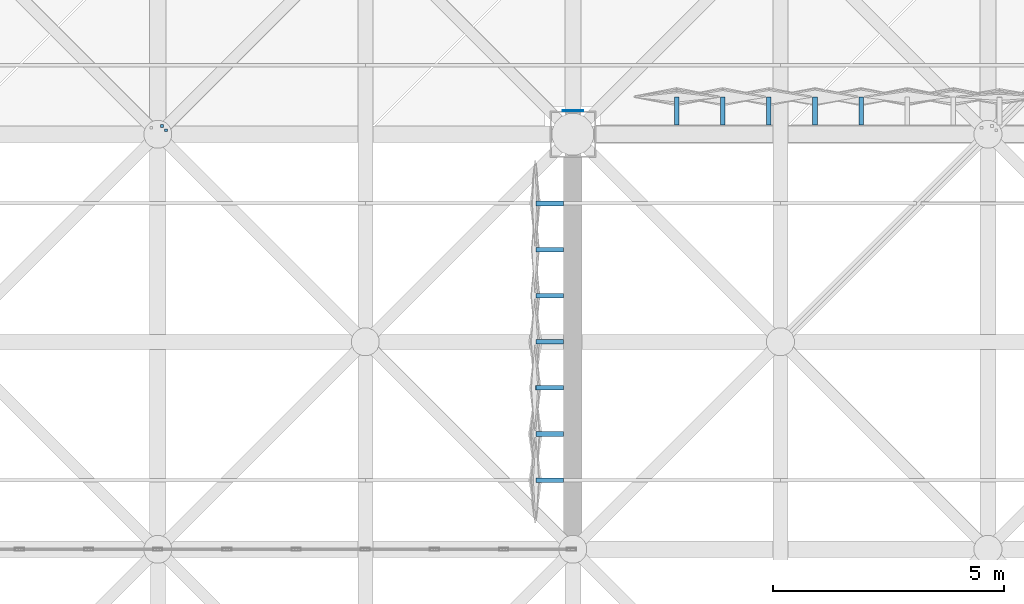
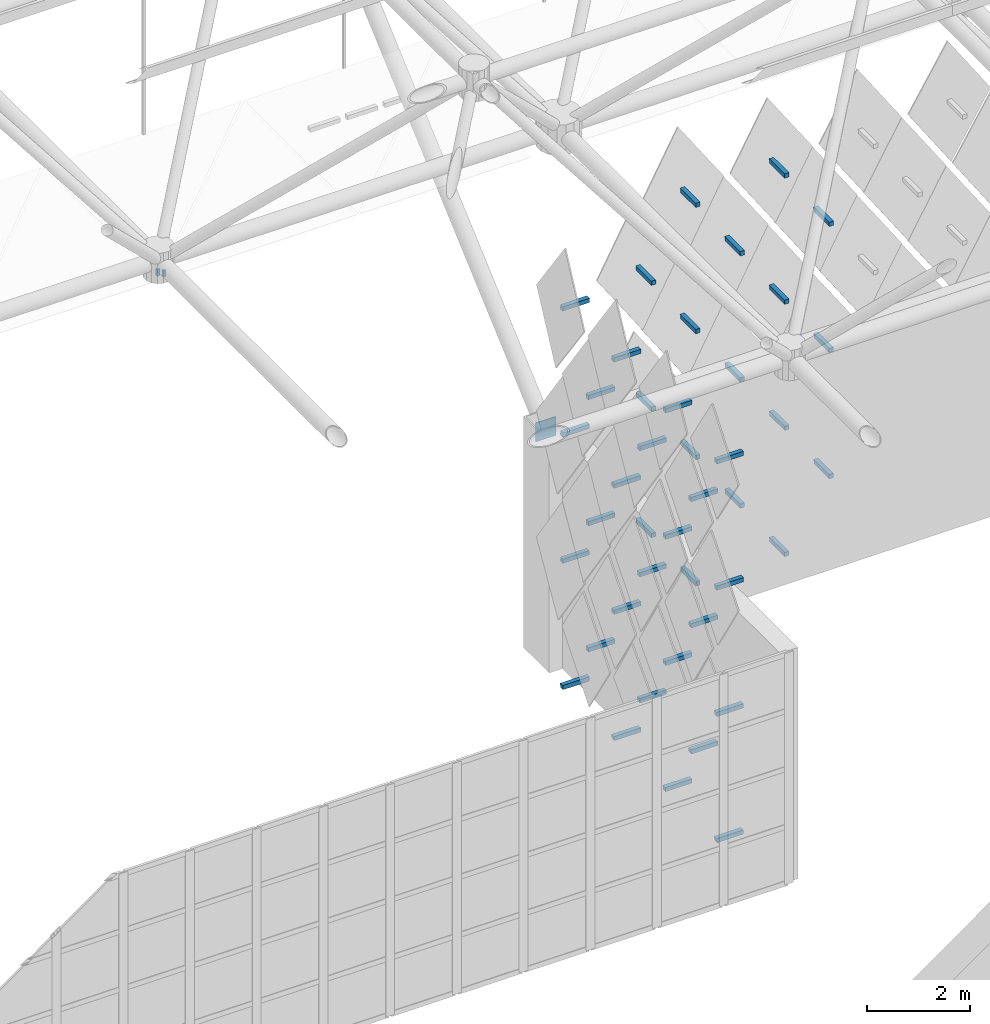
# One storey, part 392 of 437: 45 discrete accessories.
"""IFC4 building model written with IfcOpenShell, lengths in metres."""

from ifc_helpers import new_model, si_unit, direction, frame, origin, place, context, subcontext, project, spatial, polyline, outline, extrude, material, layer, layer_set, type_object, element, save


model = new_model("IFC4")

# Units and contexts
model_context = context("Model", 3, precision=1e-05, world=origin(), true_north=direction((0.0, 1.0)))
body_context = subcontext(model_context, "Body", "Model", "MODEL_VIEW")
ifc_project = project(units=[si_unit("LENGTHUNIT", "METRE"), si_unit("AREAUNIT", "SQUARE_METRE"), si_unit("VOLUMEUNIT", "CUBIC_METRE"), si_unit("PLANEANGLEUNIT", "RADIAN"), si_unit("MASSUNIT", "GRAM", prefix="KILO")], contexts=[model_context])

# Site, building, storey
site_placement = place(None, origin())
site = spatial("IfcSite", under=ifc_project, at=site_placement, CompositionType="ELEMENT")
building_placement = place(site_placement, origin())
building = spatial("IfcBuilding", under=site, at=building_placement, Name="Opaline Strait Convention Centre", CompositionType="ELEMENT")
storey_placement = place(building_placement, frame((0.0, 0.0, 11.5)))
storey = spatial("IfcBuildingStorey", under=building, at=storey_placement, Name="L02", CompositionType="ELEMENT", Elevation=11.5)

# Discrete accessories
ifc_material_1 = material(Name="Structural steel Q355B", Category="steel")
ifc_layer = layer(ifc_material_1, 0.01611328125)
ifc_layer_set = layer_set([ifc_layer], Name="Structural steel Q355B")
discrete_accessory_type_1 = type_object("IfcDiscreteAccessoryType", Name="Prop bearing plate 450 x 450 x 16", PredefinedType="ANCHORPLATE", material=ifc_layer_set)
discrete_accessory_1_placement = place(storey_placement, frame((0.0, 0.0, 4.7890625)))
element("IfcDiscreteAccessory", 1, at=discrete_accessory_1_placement, inside=storey, type_object=discrete_accessory_type_1, Name="Prop bearing plate 207/153 N", PredefinedType="ANCHORPLATE", context=body_context, shape_type="SweptSolid", body=[
    extrude(outline(polyline([(206.77490234375, 153.5), (207.22509765625, 153.5), (207.22509765625, 153.51611328125), (206.77490234375, 153.51611328125), (206.77490234375, 153.5)])), origin(), (0.0, 0.0, 1.0), 0.449951171875),
])
ifc_material_2 = material(Name="Steel Q355B", Category="steel")
discrete_accessory_type_2 = type_object("IfcDiscreteAccessoryType", Name="Soffit hanger 60x60 steel", PredefinedType="BRACKET", material=ifc_material_2)
discrete_accessory_2_placement = place(storey_placement, frame((0.0, 0.0, 11.989990234375)))
element("IfcDiscreteAccessory", 2, at=discrete_accessory_2_placement, inside=storey, type_object=discrete_accessory_type_2, Name="Soffit hanger", PredefinedType="BRACKET", context=body_context, shape_type="SweptSolid", body=[
    extrude(outline(polyline([(198.14892578125, 153.059326171875), (198.208984375, 153.059326171875), (198.208984375, 153.119140625), (198.14892578125, 153.119140625), (198.14892578125, 153.059326171875)])), origin(), (0.0, 0.0, 1.0), 0.14990234375),
])
discrete_accessory_3_placement = place(storey_placement, frame((0.0, 0.0, 11.989990234375)))
element("IfcDiscreteAccessory", 3, at=discrete_accessory_3_placement, inside=storey, type_object=discrete_accessory_type_2, Name="Soffit hanger", PredefinedType="BRACKET", context=body_context, shape_type="SweptSolid", body=[
    extrude(outline(polyline([(198.059326171875, 153.14892578125), (198.119140625, 153.14892578125), (198.119140625, 153.208984375), (198.059326171875, 153.208984375), (198.059326171875, 153.14892578125)])), origin(), (0.0, 0.0, 1.0), 0.14990234375),
])
discrete_accessory_type_3 = type_object("IfcDiscreteAccessoryType", Name="Tile bracket 100x100 steel", PredefinedType="BRACKET", material=ifc_material_2)
discrete_accessory_4_placement = place(storey_placement, frame((212.300048828125, 153.199951171875, 0.39208984375), z_axis=(-1.0, 0.0, 0.0), x_axis=(0.0, -1.0, 0.0)))
element("IfcDiscreteAccessory", 4, at=discrete_accessory_4_placement, inside=storey, type_object=discrete_accessory_type_3, Name="Tile bracket XT12 N", PredefinedType="BRACKET", context=body_context, shape_type="SweptSolid", body=[
    extrude(outline(polyline([(0.0, -0.050048828125), (0.0, 0.050048828125), (-0.605224609375, 0.050048828125), (-0.5947265625, -0.050048828125), (0.0, -0.050048828125)])), origin(), (0.0, 0.0, 1.0), 0.10009765625),
])
discrete_accessory_5_placement = place(storey_placement, frame((210.300048828125, 153.199951171875, 0.39208984375), z_axis=(-1.0, 0.0, 0.0), x_axis=(0.0, -1.0, 0.0)))
element("IfcDiscreteAccessory", 5, at=discrete_accessory_5_placement, inside=storey, type_object=discrete_accessory_type_3, Name="Tile bracket XT08 N", PredefinedType="BRACKET", context=body_context, shape_type="SweptSolid", body=[
    extrude(outline(polyline([(0.0, -0.050048828125), (0.0, 0.050048828125), (-0.603515625, 0.050048828125), (-0.596435546875, -0.050048828125), (0.0, -0.050048828125)])), origin(), (0.0, 0.0, 1.0), 0.10009765625),
])
discrete_accessory_6_placement = place(storey_placement, frame((213.300048828125, 153.199951171875, 1.89208984375), z_axis=(-1.0, 0.0, 0.0), x_axis=(0.0, -1.0, 0.0)))
element("IfcDiscreteAccessory", 6, at=discrete_accessory_6_placement, inside=storey, type_object=discrete_accessory_type_3, Name="Tile bracket XT14 N", PredefinedType="BRACKET", context=body_context, shape_type="SweptSolid", body=[
    extrude(outline(polyline([(0.0, -0.050048828125), (0.0, 0.050048828125), (-0.606201171875, 0.050048828125), (-0.59375, -0.050048828125), (0.0, -0.050048828125)])), origin(), (0.0, 0.0, 1.0), 0.10009765625),
])
discrete_accessory_7_placement = place(storey_placement, frame((211.300048828125, 153.199951171875, 1.89208984375), z_axis=(-1.0, 0.0, 0.0), x_axis=(0.0, -1.0, 0.0)))
element("IfcDiscreteAccessory", 7, at=discrete_accessory_7_placement, inside=storey, type_object=discrete_accessory_type_3, Name="Tile bracket XT12 N", PredefinedType="BRACKET", context=body_context, shape_type="SweptSolid", body=[
    extrude(outline(polyline([(0.0, -0.050048828125), (0.0, 0.050048828125), (-0.605224609375, 0.050048828125), (-0.5947265625, -0.050048828125), (0.0, -0.050048828125)])), origin(), (0.0, 0.0, 1.0), 0.10009765625),
])
discrete_accessory_8_placement = place(storey_placement, frame((209.300048828125, 153.199951171875, 1.89208984375), z_axis=(-1.0, 0.0, 0.0), x_axis=(0.0, -1.0, 0.0)))
element("IfcDiscreteAccessory", 8, at=discrete_accessory_8_placement, inside=storey, type_object=discrete_accessory_type_3, Name="Tile bracket XT08 N", PredefinedType="BRACKET", context=body_context, shape_type="SweptSolid", body=[
    extrude(outline(polyline([(0.0, -0.050048828125), (0.0, 0.050048828125), (-0.603515625, 0.050048828125), (-0.596435546875, -0.050048828125), (0.0, -0.050048828125)])), origin(), (0.0, 0.0, 1.0), 0.10009765625),
])
discrete_accessory_9_placement = place(storey_placement, frame((212.300048828125, 153.199951171875, 3.39208984375), z_axis=(-1.0, 0.0, 0.0), x_axis=(0.0, -1.0, 0.0)))
element("IfcDiscreteAccessory", 9, at=discrete_accessory_9_placement, inside=storey, type_object=discrete_accessory_type_3, Name="Tile bracket XT14 N", PredefinedType="BRACKET", context=body_context, shape_type="SweptSolid", body=[
    extrude(outline(polyline([(0.0, -0.050048828125), (0.0, 0.050048828125), (-0.606201171875, 0.050048828125), (-0.59375, -0.050048828125), (0.0, -0.050048828125)])), origin(), (0.0, 0.0, 1.0), 0.10009765625),
])
discrete_accessory_10_placement = place(storey_placement, frame((210.300048828125, 153.199951171875, 3.39208984375), z_axis=(-1.0, 0.0, 0.0), x_axis=(0.0, -1.0, 0.0)))
element("IfcDiscreteAccessory", 10, at=discrete_accessory_10_placement, inside=storey, type_object=discrete_accessory_type_3, Name="Tile bracket XT12 N", PredefinedType="BRACKET", context=body_context, shape_type="SweptSolid", body=[
    extrude(outline(polyline([(0.0, -0.050048828125), (0.0, 0.050048828125), (-0.605224609375, 0.050048828125), (-0.5947265625, -0.050048828125), (0.0, -0.050048828125)])), origin(), (0.0, 0.0, 1.0), 0.10009765625),
])
for number, where, z_axis, x_axis, name in (
    (11, (213.300048828125, 153.199951171875, 4.89208984375), (-1.0, 0.0, 0.0), (0.0, -1.0, 0.0), "Tile bracket XT15 N"),
    (12, (211.300048828125, 153.199951171875, 4.89208984375), (-1.0, 0.0, 0.0), (0.0, -1.0, 0.0), "Tile bracket XT15 N"),
):
    element("IfcDiscreteAccessory", number, at=place(storey_placement, frame(where, z_axis=z_axis, x_axis=x_axis)), inside=storey, type_object=discrete_accessory_type_3, Name=name, PredefinedType="BRACKET", context=body_context, shape_type="SweptSolid", body=[
        extrude(outline(polyline([(0.0, -0.050048828125), (0.0, 0.050048828125), (-0.606689453125, 0.050048828125), (-0.593505859375, -0.050048828125), (0.0, -0.050048828125)])), origin(), (0.0, 0.0, 1.0), 0.10009765625),
    ])
discrete_accessory_11_placement = place(storey_placement, frame((209.300048828125, 153.199951171875, 4.89208984375), z_axis=(-1.0, 0.0, 0.0), x_axis=(0.0, -1.0, 0.0)))
element("IfcDiscreteAccessory", 13, at=discrete_accessory_11_placement, inside=storey, type_object=discrete_accessory_type_3, Name="Tile bracket XT12 N", PredefinedType="BRACKET", context=body_context, shape_type="SweptSolid", body=[
    extrude(outline(polyline([(0.0, -0.050048828125), (0.0, 0.050048828125), (-0.605224609375, 0.050048828125), (-0.5947265625, -0.050048828125), (0.0, -0.050048828125)])), origin(), (0.0, 0.0, 1.0), 0.10009765625),
])
for number, where, z_axis, x_axis, name in (
    (14, (212.300048828125, 153.199951171875, 6.39208984375), (-1.0, 0.0, 0.0), (0.0, -1.0, 0.0), "Tile bracket XT15 N"),
    (15, (210.300048828125, 153.199951171875, 6.39208984375), (-1.0, 0.0, 0.0), (0.0, -1.0, 0.0), "Tile bracket XT15 N"),
):
    element("IfcDiscreteAccessory", number, at=place(storey_placement, frame(where, z_axis=z_axis, x_axis=x_axis)), inside=storey, type_object=discrete_accessory_type_3, Name=name, PredefinedType="BRACKET", context=body_context, shape_type="SweptSolid", body=[
        extrude(outline(polyline([(0.0, -0.050048828125), (0.0, 0.050048828125), (-0.606689453125, 0.050048828125), (-0.593505859375, -0.050048828125), (0.0, -0.050048828125)])), origin(), (0.0, 0.0, 1.0), 0.10009765625),
    ])
discrete_accessory_12_placement = place(storey_placement, frame((213.300048828125, 153.199951171875, 7.89208984375), z_axis=(-1.0, 0.0, 0.0), x_axis=(0.0, -1.0, 0.0)))
element("IfcDiscreteAccessory", 16, at=discrete_accessory_12_placement, inside=storey, type_object=discrete_accessory_type_3, Name="Tile bracket XT13 N", PredefinedType="BRACKET", context=body_context, shape_type="SweptSolid", body=[
    extrude(outline(polyline([(0.0, -0.050048828125), (0.0, 0.050048828125), (-0.605712890625, 0.050048828125), (-0.59423828125, -0.050048828125), (0.0, -0.050048828125)])), origin(), (0.0, 0.0, 1.0), 0.10009765625),
])
for number, where, z_axis, x_axis, name in (
    (17, (211.300048828125, 153.199951171875, 7.89208984375), (-1.0, 0.0, 0.0), (0.0, -1.0, 0.0), "Tile bracket XT15 N"),
    (18, (209.300048828125, 153.199951171875, 7.89208984375), (-1.0, 0.0, 0.0), (0.0, -1.0, 0.0), "Tile bracket XT15 N"),
):
    element("IfcDiscreteAccessory", number, at=place(storey_placement, frame(where, z_axis=z_axis, x_axis=x_axis)), inside=storey, type_object=discrete_accessory_type_3, Name=name, PredefinedType="BRACKET", context=body_context, shape_type="SweptSolid", body=[
        extrude(outline(polyline([(0.0, -0.050048828125), (0.0, 0.050048828125), (-0.606689453125, 0.050048828125), (-0.593505859375, -0.050048828125), (0.0, -0.050048828125)])), origin(), (0.0, 0.0, 1.0), 0.10009765625),
    ])
discrete_accessory_13_placement = place(storey_placement, frame((212.300048828125, 153.199951171875, 9.39208984375), z_axis=(-1.0, 0.0, 0.0), x_axis=(0.0, -1.0, 0.0)))
element("IfcDiscreteAccessory", 19, at=discrete_accessory_13_placement, inside=storey, type_object=discrete_accessory_type_3, Name="Tile bracket XT13 N", PredefinedType="BRACKET", context=body_context, shape_type="SweptSolid", body=[
    extrude(outline(polyline([(0.0, -0.050048828125), (0.0, 0.050048828125), (-0.605712890625, 0.050048828125), (-0.59423828125, -0.050048828125), (0.0, -0.050048828125)])), origin(), (0.0, 0.0, 1.0), 0.10009765625),
])
discrete_accessory_14_placement = place(storey_placement, frame((210.300048828125, 153.199951171875, 9.39208984375), z_axis=(-1.0, 0.0, 0.0), x_axis=(0.0, -1.0, 0.0)))
element("IfcDiscreteAccessory", 20, at=discrete_accessory_14_placement, inside=storey, type_object=discrete_accessory_type_3, Name="Tile bracket XT15 N", PredefinedType="BRACKET", context=body_context, shape_type="SweptSolid", body=[
    extrude(outline(polyline([(0.0, -0.050048828125), (0.0, 0.050048828125), (-0.606689453125, 0.050048828125), (-0.593505859375, -0.050048828125), (0.0, -0.050048828125)])), origin(), (0.0, 0.0, 1.0), 0.10009765625),
])
discrete_accessory_15_placement = place(storey_placement, frame((206.800048828125, 151.550048828125, 0.39208984375), z_axis=(0.0, -1.0, 0.0), x_axis=(1.0, 0.0, 0.0)))
element("IfcDiscreteAccessory", 21, at=discrete_accessory_15_placement, inside=storey, type_object=discrete_accessory_type_3, Name="Tile bracket XT04 RE", PredefinedType="BRACKET", context=body_context, shape_type="SweptSolid", body=[
    extrude(outline(polyline([(0.0, -0.050048828125), (0.0, 0.050048828125), (-0.601806640625, 0.050048828125), (-0.59814453125, -0.050048828125), (0.0, -0.050048828125)])), origin(), (0.0, 0.0, 1.0), 0.10009765625),
])
discrete_accessory_16_placement = place(storey_placement, frame((206.800048828125, 149.550048828125, 0.39208984375), z_axis=(0.0, -1.0, 0.0), x_axis=(1.0, 0.0, 0.0)))
element("IfcDiscreteAccessory", 22, at=discrete_accessory_16_placement, inside=storey, type_object=discrete_accessory_type_3, Name="Tile bracket XT09 RE", PredefinedType="BRACKET", context=body_context, shape_type="SweptSolid", body=[
    extrude(outline(polyline([(0.0, -0.050048828125), (0.0, 0.050048828125), (-0.60400390625, 0.050048828125), (-0.595947265625, -0.050048828125), (0.0, -0.050048828125)])), origin(), (0.0, 0.0, 1.0), 0.10009765625),
])
discrete_accessory_17_placement = place(storey_placement, frame((206.800048828125, 147.550048828125, 0.39208984375), z_axis=(0.0, -1.0, 0.0), x_axis=(1.0, 0.0, 0.0)))
element("IfcDiscreteAccessory", 23, at=discrete_accessory_17_placement, inside=storey, type_object=discrete_accessory_type_3, Name="Tile bracket XT13 RE", PredefinedType="BRACKET", context=body_context, shape_type="SweptSolid", body=[
    extrude(outline(polyline([(0.0, -0.050048828125), (0.0, 0.050048828125), (-0.605712890625, 0.050048828125), (-0.59423828125, -0.050048828125), (0.0, -0.050048828125)])), origin(), (0.0, 0.0, 1.0), 0.10009765625),
])
discrete_accessory_18_placement = place(storey_placement, frame((206.800048828125, 145.550048828125, 0.39208984375), z_axis=(0.0, -1.0, 0.0), x_axis=(1.0, 0.0, 0.0)))
element("IfcDiscreteAccessory", 24, at=discrete_accessory_18_placement, inside=storey, type_object=discrete_accessory_type_3, Name="Tile bracket XT12 RE", PredefinedType="BRACKET", context=body_context, shape_type="SweptSolid", body=[
    extrude(outline(polyline([(0.0, -0.050048828125), (0.0, 0.050048828125), (-0.605224609375, 0.050048828125), (-0.5947265625, -0.050048828125), (0.0, -0.050048828125)])), origin(), (0.0, 0.0, 1.0), 0.10009765625),
])
discrete_accessory_19_placement = place(storey_placement, frame((206.800048828125, 150.550048828125, 1.89208984375), z_axis=(0.0, -1.0, 0.0), x_axis=(1.0, 0.0, 0.0)))
element("IfcDiscreteAccessory", 25, at=discrete_accessory_19_placement, inside=storey, type_object=discrete_accessory_type_3, Name="Tile bracket XT05 RE", PredefinedType="BRACKET", context=body_context, shape_type="SweptSolid", body=[
    extrude(outline(polyline([(0.0, -0.050048828125), (0.0, 0.050048828125), (-0.602294921875, 0.050048828125), (-0.597900390625, -0.050048828125), (0.0, -0.050048828125)])), origin(), (0.0, 0.0, 1.0), 0.10009765625),
])
discrete_accessory_20_placement = place(storey_placement, frame((206.800048828125, 148.550048828125, 1.89208984375), z_axis=(0.0, -1.0, 0.0), x_axis=(1.0, 0.0, 0.0)))
element("IfcDiscreteAccessory", 26, at=discrete_accessory_20_placement, inside=storey, type_object=discrete_accessory_type_3, Name="Tile bracket XT10 RE", PredefinedType="BRACKET", context=body_context, shape_type="SweptSolid", body=[
    extrude(outline(polyline([(0.0, -0.050048828125), (0.0, 0.050048828125), (-0.604248046875, 0.050048828125), (-0.595703125, -0.050048828125), (0.0, -0.050048828125)])), origin(), (0.0, 0.0, 1.0), 0.10009765625),
])
discrete_accessory_21_placement = place(storey_placement, frame((206.800048828125, 146.550048828125, 1.89208984375), z_axis=(0.0, -1.0, 0.0), x_axis=(1.0, 0.0, 0.0)))
element("IfcDiscreteAccessory", 27, at=discrete_accessory_21_placement, inside=storey, type_object=discrete_accessory_type_3, Name="Tile bracket XT11 RE", PredefinedType="BRACKET", context=body_context, shape_type="SweptSolid", body=[
    extrude(outline(polyline([(0.0, -0.050048828125), (0.0, 0.050048828125), (-0.604736328125, 0.050048828125), (-0.59521484375, -0.050048828125), (0.0, -0.050048828125)])), origin(), (0.0, 0.0, 1.0), 0.10009765625),
])
discrete_accessory_22_placement = place(storey_placement, frame((206.800048828125, 151.550048828125, 3.39208984375), z_axis=(0.0, -1.0, 0.0), x_axis=(1.0, 0.0, 0.0)))
element("IfcDiscreteAccessory", 28, at=discrete_accessory_22_placement, inside=storey, type_object=discrete_accessory_type_3, Name="Tile bracket XT04 RE", PredefinedType="BRACKET", context=body_context, shape_type="SweptSolid", body=[
    extrude(outline(polyline([(0.0, -0.050048828125), (0.0, 0.050048828125), (-0.59814453125, 0.050048828125), (-0.601806640625, -0.050048828125), (0.0, -0.050048828125)])), origin(), (0.0, 0.0, 1.0), 0.10009765625),
])
discrete_accessory_23_placement = place(storey_placement, frame((206.800048828125, 149.550048828125, 3.39208984375), z_axis=(0.0, -1.0, 0.0), x_axis=(1.0, 0.0, 0.0)))
element("IfcDiscreteAccessory", 29, at=discrete_accessory_23_placement, inside=storey, type_object=discrete_accessory_type_3, Name="Tile bracket XT06 RE", PredefinedType="BRACKET", context=body_context, shape_type="SweptSolid", body=[
    extrude(outline(polyline([(0.0, -0.050048828125), (0.0, 0.050048828125), (-0.6025390625, 0.050048828125), (-0.597412109375, -0.050048828125), (0.0, -0.050048828125)])), origin(), (0.0, 0.0, 1.0), 0.10009765625),
])
discrete_accessory_24_placement = place(storey_placement, frame((206.800048828125, 147.550048828125, 3.39208984375), z_axis=(0.0, -1.0, 0.0), x_axis=(1.0, 0.0, 0.0)))
element("IfcDiscreteAccessory", 30, at=discrete_accessory_24_placement, inside=storey, type_object=discrete_accessory_type_3, Name="Tile bracket XT09 RE", PredefinedType="BRACKET", context=body_context, shape_type="SweptSolid", body=[
    extrude(outline(polyline([(0.0, -0.050048828125), (0.0, 0.050048828125), (-0.60400390625, 0.050048828125), (-0.595947265625, -0.050048828125), (0.0, -0.050048828125)])), origin(), (0.0, 0.0, 1.0), 0.10009765625),
])
discrete_accessory_25_placement = place(storey_placement, frame((206.800048828125, 145.550048828125, 3.39208984375), z_axis=(0.0, -1.0, 0.0), x_axis=(1.0, 0.0, 0.0)))
element("IfcDiscreteAccessory", 31, at=discrete_accessory_25_placement, inside=storey, type_object=discrete_accessory_type_3, Name="Tile bracket XT10 RE", PredefinedType="BRACKET", context=body_context, shape_type="SweptSolid", body=[
    extrude(outline(polyline([(0.0, -0.050048828125), (0.0, 0.050048828125), (-0.604248046875, 0.050048828125), (-0.595703125, -0.050048828125), (0.0, -0.050048828125)])), origin(), (0.0, 0.0, 1.0), 0.10009765625),
])
discrete_accessory_26_placement = place(storey_placement, frame((206.800048828125, 150.550048828125, 4.89208984375), z_axis=(0.0, -1.0, 0.0), x_axis=(1.0, 0.0, 0.0)))
element("IfcDiscreteAccessory", 32, at=discrete_accessory_26_placement, inside=storey, type_object=discrete_accessory_type_3, Name="Tile bracket XT05 RE", PredefinedType="BRACKET", context=body_context, shape_type="SweptSolid", body=[
    extrude(outline(polyline([(0.0, -0.050048828125), (0.0, 0.050048828125), (-0.597900390625, 0.050048828125), (-0.602294921875, -0.050048828125), (0.0, -0.050048828125)])), origin(), (0.0, 0.0, 1.0), 0.10009765625),
])
discrete_accessory_27_placement = place(storey_placement, frame((206.800048828125, 148.550048828125, 4.89208984375), z_axis=(0.0, -1.0, 0.0), x_axis=(1.0, 0.0, 0.0)))
element("IfcDiscreteAccessory", 33, at=discrete_accessory_27_placement, inside=storey, type_object=discrete_accessory_type_3, Name="Tile bracket XT06 RE", PredefinedType="BRACKET", context=body_context, shape_type="SweptSolid", body=[
    extrude(outline(polyline([(0.0, -0.050048828125), (0.0, 0.050048828125), (-0.6025390625, 0.050048828125), (-0.597412109375, -0.050048828125), (0.0, -0.050048828125)])), origin(), (0.0, 0.0, 1.0), 0.10009765625),
])
discrete_accessory_28_placement = place(storey_placement, frame((206.800048828125, 146.550048828125, 4.89208984375), z_axis=(0.0, -1.0, 0.0), x_axis=(1.0, 0.0, 0.0)))
element("IfcDiscreteAccessory", 34, at=discrete_accessory_28_placement, inside=storey, type_object=discrete_accessory_type_3, Name="Tile bracket XT07 RE", PredefinedType="BRACKET", context=body_context, shape_type="SweptSolid", body=[
    extrude(outline(polyline([(0.0, -0.050048828125), (0.0, 0.050048828125), (-0.60302734375, 0.050048828125), (-0.596923828125, -0.050048828125), (0.0, -0.050048828125)])), origin(), (0.0, 0.0, 1.0), 0.10009765625),
])
for number, where, z_axis, x_axis, name in (
    (35, (206.800048828125, 151.550048828125, 6.39208984375), (0.0, -1.0, 0.0), (1.0, 0.0, 0.0), "Tile bracket XT06 RE"),
    (36, (206.800048828125, 149.550048828125, 6.39208984375), (0.0, -1.0, 0.0), (1.0, 0.0, 0.0), "Tile bracket XT06 RE"),
):
    element("IfcDiscreteAccessory", number, at=place(storey_placement, frame(where, z_axis=z_axis, x_axis=x_axis)), inside=storey, type_object=discrete_accessory_type_3, Name=name, PredefinedType="BRACKET", context=body_context, shape_type="SweptSolid", body=[
        extrude(outline(polyline([(0.0, -0.050048828125), (0.0, 0.050048828125), (-0.597412109375, 0.050048828125), (-0.6025390625, -0.050048828125), (0.0, -0.050048828125)])), origin(), (0.0, 0.0, 1.0), 0.10009765625),
    ])
for number, where, z_axis, x_axis, name in (
    (37, (206.800048828125, 147.550048828125, 6.39208984375), (0.0, -1.0, 0.0), (1.0, 0.0, 0.0), "Tile bracket XT06 RE"),
    (38, (206.800048828125, 145.550048828125, 6.39208984375), (0.0, -1.0, 0.0), (1.0, 0.0, 0.0), "Tile bracket XT06 RE"),
):
    element("IfcDiscreteAccessory", number, at=place(storey_placement, frame(where, z_axis=z_axis, x_axis=x_axis)), inside=storey, type_object=discrete_accessory_type_3, Name=name, PredefinedType="BRACKET", context=body_context, shape_type="SweptSolid", body=[
        extrude(outline(polyline([(0.0, -0.050048828125), (0.0, 0.050048828125), (-0.6025390625, 0.050048828125), (-0.597412109375, -0.050048828125), (0.0, -0.050048828125)])), origin(), (0.0, 0.0, 1.0), 0.10009765625),
    ])
discrete_accessory_29_placement = place(storey_placement, frame((206.800048828125, 150.550048828125, 7.89208984375), z_axis=(0.0, -1.0, 0.0), x_axis=(1.0, 0.0, 0.0)))
element("IfcDiscreteAccessory", 39, at=discrete_accessory_29_placement, inside=storey, type_object=discrete_accessory_type_3, Name="Tile bracket XT07 RE", PredefinedType="BRACKET", context=body_context, shape_type="SweptSolid", body=[
    extrude(outline(polyline([(0.0, -0.050048828125), (0.0, 0.050048828125), (-0.596923828125, 0.050048828125), (-0.60302734375, -0.050048828125), (0.0, -0.050048828125)])), origin(), (0.0, 0.0, 1.0), 0.10009765625),
])
discrete_accessory_30_placement = place(storey_placement, frame((206.800048828125, 148.550048828125, 7.89208984375), z_axis=(0.0, -1.0, 0.0), x_axis=(1.0, 0.0, 0.0)))
element("IfcDiscreteAccessory", 40, at=discrete_accessory_30_placement, inside=storey, type_object=discrete_accessory_type_3, Name="Tile bracket XT06 RE", PredefinedType="BRACKET", context=body_context, shape_type="SweptSolid", body=[
    extrude(outline(polyline([(0.0, -0.050048828125), (0.0, 0.050048828125), (-0.597412109375, 0.050048828125), (-0.6025390625, -0.050048828125), (0.0, -0.050048828125)])), origin(), (0.0, 0.0, 1.0), 0.10009765625),
])
discrete_accessory_31_placement = place(storey_placement, frame((206.800048828125, 146.550048828125, 7.89208984375), z_axis=(0.0, -1.0, 0.0), x_axis=(1.0, 0.0, 0.0)))
element("IfcDiscreteAccessory", 41, at=discrete_accessory_31_placement, inside=storey, type_object=discrete_accessory_type_3, Name="Tile bracket XT05 RE", PredefinedType="BRACKET", context=body_context, shape_type="SweptSolid", body=[
    extrude(outline(polyline([(0.0, -0.050048828125), (0.0, 0.050048828125), (-0.602294921875, 0.050048828125), (-0.597900390625, -0.050048828125), (0.0, -0.050048828125)])), origin(), (0.0, 0.0, 1.0), 0.10009765625),
])
discrete_accessory_32_placement = place(storey_placement, frame((206.800048828125, 151.550048828125, 9.39208984375), z_axis=(0.0, -1.0, 0.0), x_axis=(1.0, 0.0, 0.0)))
element("IfcDiscreteAccessory", 42, at=discrete_accessory_32_placement, inside=storey, type_object=discrete_accessory_type_3, Name="Tile bracket XT09 RE", PredefinedType="BRACKET", context=body_context, shape_type="SweptSolid", body=[
    extrude(outline(polyline([(0.0, -0.050048828125), (0.0, 0.050048828125), (-0.595947265625, 0.050048828125), (-0.60400390625, -0.050048828125), (0.0, -0.050048828125)])), origin(), (0.0, 0.0, 1.0), 0.10009765625),
])
discrete_accessory_33_placement = place(storey_placement, frame((206.800048828125, 149.550048828125, 9.39208984375), z_axis=(0.0, -1.0, 0.0), x_axis=(1.0, 0.0, 0.0)))
element("IfcDiscreteAccessory", 43, at=discrete_accessory_33_placement, inside=storey, type_object=discrete_accessory_type_3, Name="Tile bracket XT08 RE", PredefinedType="BRACKET", context=body_context, shape_type="SweptSolid", body=[
    extrude(outline(polyline([(0.0, -0.050048828125), (0.0, 0.050048828125), (-0.596435546875, 0.050048828125), (-0.603515625, -0.050048828125), (0.0, -0.050048828125)])), origin(), (0.0, 0.0, 1.0), 0.10009765625),
])
discrete_accessory_34_placement = place(storey_placement, frame((206.800048828125, 147.550048828125, 9.39208984375), z_axis=(0.0, -1.0, 0.0), x_axis=(1.0, 0.0, 0.0)))
element("IfcDiscreteAccessory", 44, at=discrete_accessory_34_placement, inside=storey, type_object=discrete_accessory_type_3, Name="Tile bracket XT06 RE", PredefinedType="BRACKET", context=body_context, shape_type="SweptSolid", body=[
    extrude(outline(polyline([(0.0, -0.050048828125), (0.0, 0.050048828125), (-0.597412109375, 0.050048828125), (-0.6025390625, -0.050048828125), (0.0, -0.050048828125)])), origin(), (0.0, 0.0, 1.0), 0.10009765625),
])
discrete_accessory_35_placement = place(storey_placement, frame((206.800048828125, 145.550048828125, 9.39208984375), z_axis=(0.0, -1.0, 0.0), x_axis=(1.0, 0.0, 0.0)))
element("IfcDiscreteAccessory", 45, at=discrete_accessory_35_placement, inside=storey, type_object=discrete_accessory_type_3, Name="Tile bracket XT04 RE", PredefinedType="BRACKET", context=body_context, shape_type="SweptSolid", body=[
    extrude(outline(polyline([(0.0, -0.050048828125), (0.0, 0.050048828125), (-0.601806640625, 0.050048828125), (-0.59814453125, -0.050048828125), (0.0, -0.050048828125)])), origin(), (0.0, 0.0, 1.0), 0.10009765625),
])

save(model, "model.ifc")
